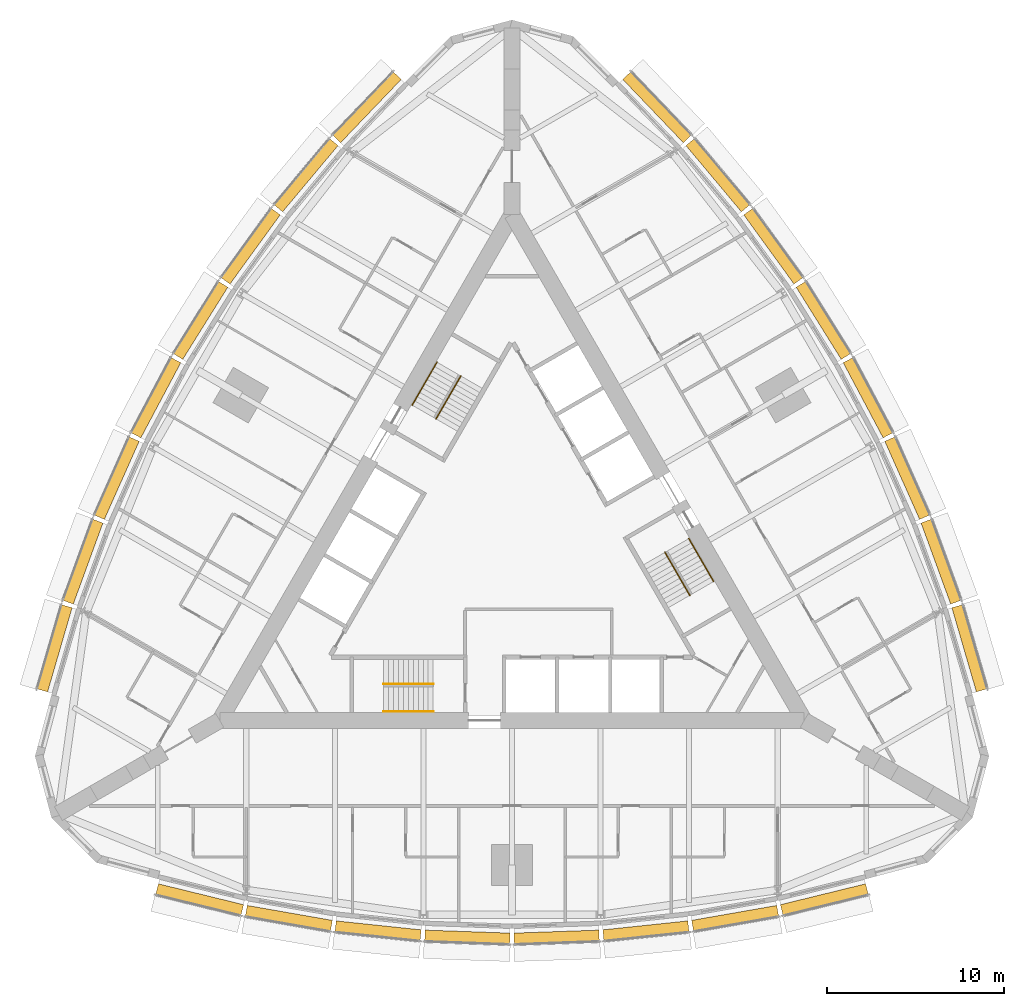
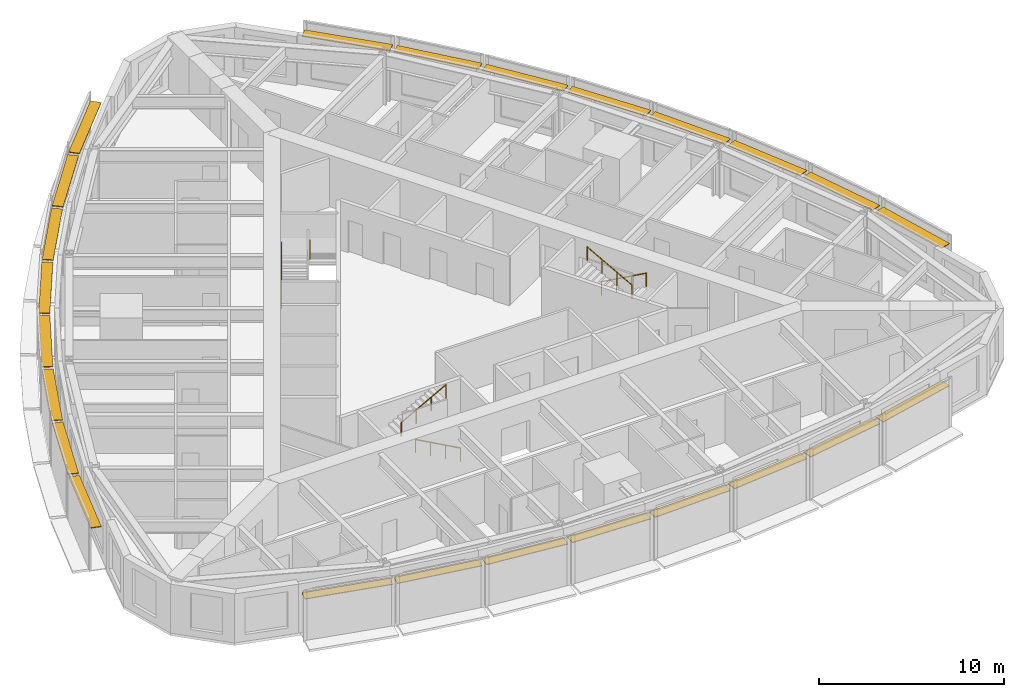
# One storey, part 14 of 14: 24 shading devices, 6 railings.
"""IFC4 building model written with IfcOpenShell, lengths in metres."""

from ifc_helpers import new_model, si_unit, direction, frame, origin, origin_2d, place, context, subcontext, project, spatial, rectangle, circle, extrude, material, type_object, element, save


model = new_model("IFC4")

# Units and contexts
model_context = context("Model", 3, precision=1e-05, world=origin(), true_north=direction((0.0, 1.0)))
body_context = subcontext(model_context, "Body", "Model", "MODEL_VIEW")
ifc_project = project(units=[si_unit("LENGTHUNIT", "METRE"), si_unit("AREAUNIT", "SQUARE_METRE"), si_unit("VOLUMEUNIT", "CUBIC_METRE"), si_unit("PLANEANGLEUNIT", "RADIAN"), si_unit("MASSUNIT", "GRAM", prefix="KILO")], contexts=[model_context])

# Site, building, storey
site_placement = place(None, origin())
site = spatial("IfcSite", under=ifc_project, at=site_placement, CompositionType="ELEMENT")
building_placement = place(site_placement, origin())
building = spatial("IfcBuilding", under=site, at=building_placement, Name="Trikona Tower", CompositionType="ELEMENT")
storey_placement = place(building_placement, frame((0.0, 0.0, 169.10009765625)))
storey = spatial("IfcBuildingStorey", under=building, at=storey_placement, Name="L45", CompositionType="ELEMENT", Elevation=169.10009765625)

# Shading devices
ifc_material_1 = material(Name="Aluminium louvre blade, pale anodised", Category="aluminium")
shading_device_type = type_object("IfcShadingDeviceType", Name="Cavity louvre 600", PredefinedType="USERDEFINED", material=ifc_material_1)
shading_device_1_placement = place(storey_placement, frame((-17.63330078125, -19.631591796875, 2.77490234375), z_axis=(0.0, 0.0, 1.0), x_axis=(0.971274411564, -0.237962218516, 0.0)))
element("IfcShadingDevice", 1, at=shading_device_1_placement, inside=storey, type_object=shading_device_type, Name="Cavity louvre L45-00", ObjectType="LOUVRE", PredefinedType="USERDEFINED", context=body_context, shape_type="SweptSolid", body=[
    extrude(rectangle(XDim=4.947998046875, YDim=0.60009765625, at=origin_2d()), origin(), (0.0, 0.0, 1.0), 0.050048828125),
])
shading_device_2_placement = place(storey_placement, frame((-12.596435546875, -20.689208984375, 2.77490234375), z_axis=(0.0, 0.0, 1.0), x_axis=(0.985030604067, -0.172379549401, 0.0)))
element("IfcShadingDevice", 2, at=shading_device_2_placement, inside=storey, type_object=shading_device_type, Name="Cavity louvre L45-01", ObjectType="LOUVRE", PredefinedType="USERDEFINED", context=body_context, shape_type="SweptSolid", body=[
    extrude(rectangle(XDim=4.8759765625, YDim=0.60009765625, at=origin_2d()), origin(), (0.0, 0.0, 1.0), 0.050048828125),
])
shading_device_3_placement = place(storey_placement, frame((-7.55859375, -21.39453125, 2.77490234375), z_axis=(0.0, 0.0, 1.0), x_axis=(0.994532653854, -0.104426052392, 0.0)))
element("IfcShadingDevice", 3, at=shading_device_3_placement, inside=storey, type_object=shading_device_type, Name="Cavity louvre L45-02", ObjectType="LOUVRE", PredefinedType="USERDEFINED", context=body_context, shape_type="SweptSolid", body=[
    extrude(rectangle(XDim=4.827392578125, YDim=0.60009765625, at=origin_2d()), origin(), (0.0, 0.0, 1.0), 0.050048828125),
])
for number, where, z_axis, x_axis, name in (
    (4, (-2.51953125, -21.747314453125, 2.77490234375), (0.0, 0.0, 1.0), (0.999388082937, -0.034977988567, 0.0), "Cavity louvre L45-03"),
    (5, (2.51953125, -21.747314453125, 2.77490234375), (0.0, 0.0, 1.0), (0.999388082937, 0.034977988567, 0.0), "Cavity louvre L45-04"),
):
    element("IfcShadingDevice", number, at=place(storey_placement, frame(where, z_axis=z_axis, x_axis=x_axis)), inside=storey, type_object=shading_device_type, Name=name, ObjectType="LOUVRE", PredefinedType="USERDEFINED", context=body_context, shape_type="SweptSolid", body=[
        extrude(rectangle(XDim=4.802978515625, YDim=0.60009765625, at=origin_2d()), origin(), (0.0, 0.0, 1.0), 0.050048828125),
    ])
shading_device_4_placement = place(storey_placement, frame((7.55859375, -21.39453125, 2.77490234375), z_axis=(0.0, 0.0, 1.0), x_axis=(0.994532653854, 0.104426052392, 0.0)))
element("IfcShadingDevice", 6, at=shading_device_4_placement, inside=storey, type_object=shading_device_type, Name="Cavity louvre L45-05", ObjectType="LOUVRE", PredefinedType="USERDEFINED", context=body_context, shape_type="SweptSolid", body=[
    extrude(rectangle(XDim=4.827392578125, YDim=0.60009765625, at=origin_2d()), origin(), (0.0, 0.0, 1.0), 0.050048828125),
])
shading_device_5_placement = place(storey_placement, frame((12.596435546875, -20.689208984375, 2.77490234375), z_axis=(0.0, 0.0, 1.0), x_axis=(0.985030604067, 0.172379549401, 0.0)))
element("IfcShadingDevice", 7, at=shading_device_5_placement, inside=storey, type_object=shading_device_type, Name="Cavity louvre L45-06", ObjectType="LOUVRE", PredefinedType="USERDEFINED", context=body_context, shape_type="SweptSolid", body=[
    extrude(rectangle(XDim=4.8759765625, YDim=0.60009765625, at=origin_2d()), origin(), (0.0, 0.0, 1.0), 0.050048828125),
])
shading_device_6_placement = place(storey_placement, frame((17.63330078125, -19.631591796875, 2.77490234375), z_axis=(0.0, 0.0, 1.0), x_axis=(0.971274411564, 0.237962218516, 0.0)))
element("IfcShadingDevice", 8, at=shading_device_6_placement, inside=storey, type_object=shading_device_type, Name="Cavity louvre L45-07", ObjectType="LOUVRE", PredefinedType="USERDEFINED", context=body_context, shape_type="SweptSolid", body=[
    extrude(rectangle(XDim=4.947998046875, YDim=0.60009765625, at=origin_2d()), origin(), (0.0, 0.0, 1.0), 0.050048828125),
])
shading_device_7_placement = place(storey_placement, frame((25.818115234375, -5.455078125, 2.77490234375), z_axis=(0.0, 0.0, 1.0), x_axis=(-0.279554203664, 0.960129911634, 0.0)))
element("IfcShadingDevice", 9, at=shading_device_7_placement, inside=storey, type_object=shading_device_type, Name="Cavity louvre L45-12", ObjectType="LOUVRE", PredefinedType="USERDEFINED", context=body_context, shape_type="SweptSolid", body=[
    extrude(rectangle(XDim=4.94775390625, YDim=0.60009765625, at=origin_2d()), origin(), (0.0, 0.0, 1.0), 0.050048828125),
])
shading_device_8_placement = place(storey_placement, frame((24.2158203125, -0.564208984375, 2.77490234375), z_axis=(0.0, 0.0, 1.0), x_axis=(-0.343220397324, 0.939254895575, 0.0)))
element("IfcShadingDevice", 10, at=shading_device_8_placement, inside=storey, type_object=shading_device_type, Name="Cavity louvre L45-13", ObjectType="LOUVRE", PredefinedType="USERDEFINED", context=body_context, shape_type="SweptSolid", body=[
    extrude(rectangle(XDim=4.8759765625, YDim=0.60009765625, at=origin_2d()), origin(), (0.0, 0.0, 1.0), 0.050048828125),
])
shading_device_9_placement = place(storey_placement, frame((22.3076171875, 4.151611328125, 2.77490234375), z_axis=(0.0, 0.0, 1.0), x_axis=(-0.406843467615, 0.913497888809, 0.0)))
element("IfcShadingDevice", 11, at=shading_device_9_placement, inside=storey, type_object=shading_device_type, Name="Cavity louvre L45-14", ObjectType="LOUVRE", PredefinedType="USERDEFINED", context=body_context, shape_type="SweptSolid", body=[
    extrude(rectangle(XDim=4.827392578125, YDim=0.60009765625, at=origin_2d()), origin(), (0.0, 0.0, 1.0), 0.050048828125),
])
for number, where, z_axis, x_axis, name in (
    (12, (20.093505859375, 8.691650390625, 2.77490234375), (0.0, 0.0, 1.0), (-0.469397591494, 0.882986920118, 0.0), "Cavity louvre L45-15"),
    (13, (17.573974609375, 13.0556640625, 2.77490234375), (0.0, 0.0, 1.0), (-0.529994748414, 0.848000923734, 0.0), "Cavity louvre L45-16"),
):
    element("IfcShadingDevice", number, at=place(storey_placement, frame(where, z_axis=z_axis, x_axis=x_axis)), inside=storey, type_object=shading_device_type, Name=name, ObjectType="LOUVRE", PredefinedType="USERDEFINED", context=body_context, shape_type="SweptSolid", body=[
        extrude(rectangle(XDim=4.802978515625, YDim=0.60009765625, at=origin_2d()), origin(), (0.0, 0.0, 1.0), 0.050048828125),
    ])
shading_device_10_placement = place(storey_placement, frame((14.7490234375, 17.2431640625, 2.77490234375), z_axis=(0.0, 0.0, 1.0), x_axis=(-0.587686407834, 0.809088799853, 0.0)))
element("IfcShadingDevice", 14, at=shading_device_10_placement, inside=storey, type_object=shading_device_type, Name="Cavity louvre L45-17", ObjectType="LOUVRE", PredefinedType="USERDEFINED", context=body_context, shape_type="SweptSolid", body=[
    extrude(rectangle(XDim=4.827392578125, YDim=0.60009765625, at=origin_2d()), origin(), (0.0, 0.0, 1.0), 0.050048828125),
])
shading_device_11_placement = place(storey_placement, frame((11.619140625, 21.253662109375, 2.77490234375), z_axis=(0.0, 0.0, 1.0), x_axis=(-0.641807063101, 0.766866151133, 0.0)))
element("IfcShadingDevice", 15, at=shading_device_11_placement, inside=storey, type_object=shading_device_type, Name="Cavity louvre L45-18", ObjectType="LOUVRE", PredefinedType="USERDEFINED", context=body_context, shape_type="SweptSolid", body=[
    extrude(rectangle(XDim=4.8759765625, YDim=0.60009765625, at=origin_2d()), origin(), (0.0, 0.0, 1.0), 0.050048828125),
])
for number, where, z_axis, x_axis, name in (
    (16, (8.184814453125, 25.086669921875, 2.77490234375), (0.0, 0.0, 1.0), (-0.691723573819, 0.722162376078, 0.0), "Cavity louvre L45-19"),
    (17, (-8.184814453125, 25.086669921875, 2.77490234375), (0.0, 0.0, 1.0), (-0.691723573819, -0.722162376078, 0.0), "Cavity louvre L45-24"),
):
    element("IfcShadingDevice", number, at=place(storey_placement, frame(where, z_axis=z_axis, x_axis=x_axis)), inside=storey, type_object=shading_device_type, Name=name, ObjectType="LOUVRE", PredefinedType="USERDEFINED", context=body_context, shape_type="SweptSolid", body=[
        extrude(rectangle(XDim=4.947998046875, YDim=0.60009765625, at=origin_2d()), origin(), (0.0, 0.0, 1.0), 0.050048828125),
    ])
shading_device_12_placement = place(storey_placement, frame((-11.619140625, 21.253662109375, 2.77490234375), z_axis=(0.0, 0.0, 1.0), x_axis=(-0.641807063101, -0.766866151133, 0.0)))
element("IfcShadingDevice", 18, at=shading_device_12_placement, inside=storey, type_object=shading_device_type, Name="Cavity louvre L45-25", ObjectType="LOUVRE", PredefinedType="USERDEFINED", context=body_context, shape_type="SweptSolid", body=[
    extrude(rectangle(XDim=4.8759765625, YDim=0.60009765625, at=origin_2d()), origin(), (0.0, 0.0, 1.0), 0.050048828125),
])
shading_device_13_placement = place(storey_placement, frame((-14.7490234375, 17.2431640625, 2.77490234375), z_axis=(0.0, 0.0, 1.0), x_axis=(-0.587686407834, -0.809088799853, 0.0)))
element("IfcShadingDevice", 19, at=shading_device_13_placement, inside=storey, type_object=shading_device_type, Name="Cavity louvre L45-26", ObjectType="LOUVRE", PredefinedType="USERDEFINED", context=body_context, shape_type="SweptSolid", body=[
    extrude(rectangle(XDim=4.827392578125, YDim=0.60009765625, at=origin_2d()), origin(), (0.0, 0.0, 1.0), 0.050048828125),
])
for number, where, z_axis, x_axis, name in (
    (20, (-17.573974609375, 13.0556640625, 2.77490234375), (0.0, 0.0, 1.0), (-0.529994748414, -0.848000923734, 0.0), "Cavity louvre L45-27"),
    (21, (-20.093505859375, 8.691650390625, 2.77490234375), (0.0, 0.0, 1.0), (-0.469397591494, -0.882986920118, 0.0), "Cavity louvre L45-28"),
):
    element("IfcShadingDevice", number, at=place(storey_placement, frame(where, z_axis=z_axis, x_axis=x_axis)), inside=storey, type_object=shading_device_type, Name=name, ObjectType="LOUVRE", PredefinedType="USERDEFINED", context=body_context, shape_type="SweptSolid", body=[
        extrude(rectangle(XDim=4.802978515625, YDim=0.60009765625, at=origin_2d()), origin(), (0.0, 0.0, 1.0), 0.050048828125),
    ])
shading_device_14_placement = place(storey_placement, frame((-22.3076171875, 4.151611328125, 2.77490234375), z_axis=(0.0, 0.0, 1.0), x_axis=(-0.406843467615, -0.913497888809, 0.0)))
element("IfcShadingDevice", 22, at=shading_device_14_placement, inside=storey, type_object=shading_device_type, Name="Cavity louvre L45-29", ObjectType="LOUVRE", PredefinedType="USERDEFINED", context=body_context, shape_type="SweptSolid", body=[
    extrude(rectangle(XDim=4.827392578125, YDim=0.60009765625, at=origin_2d()), origin(), (0.0, 0.0, 1.0), 0.050048828125),
])
shading_device_15_placement = place(storey_placement, frame((-24.2158203125, -0.564208984375, 2.77490234375), z_axis=(0.0, 0.0, 1.0), x_axis=(-0.343220397324, -0.939254895575, 0.0)))
element("IfcShadingDevice", 23, at=shading_device_15_placement, inside=storey, type_object=shading_device_type, Name="Cavity louvre L45-30", ObjectType="LOUVRE", PredefinedType="USERDEFINED", context=body_context, shape_type="SweptSolid", body=[
    extrude(rectangle(XDim=4.8759765625, YDim=0.60009765625, at=origin_2d()), origin(), (0.0, 0.0, 1.0), 0.050048828125),
])
shading_device_16_placement = place(storey_placement, frame((-25.818115234375, -5.455078125, 2.77490234375), z_axis=(0.0, 0.0, 1.0), x_axis=(-0.279554203664, -0.960129911634, 0.0)))
element("IfcShadingDevice", 24, at=shading_device_16_placement, inside=storey, type_object=shading_device_type, Name="Cavity louvre L45-31", ObjectType="LOUVRE", PredefinedType="USERDEFINED", context=body_context, shape_type="SweptSolid", body=[
    extrude(rectangle(XDim=4.94775390625, YDim=0.60009765625, at=origin_2d()), origin(), (0.0, 0.0, 1.0), 0.050048828125),
])

# Railings
ifc_material_2 = material(Name="Stainless steel handrail", Category="steel")
railing_type = type_object("IfcRailingType", Name="Stair handrail", PredefinedType="HANDRAIL", material=ifc_material_2)
railing_1_placement = place(storey_placement, frame((-4.449951171875, -9.016357421875, 0.154296875)))
element("IfcRailing", 25, at=railing_1_placement, inside=storey, type_object=railing_type, Name="Stair handrail A L45 1", PredefinedType="HANDRAIL", context=body_context, shape_type="SweptSolid", body=[
    extrude(circle(Radius=0.02392578125, at=origin_2d()), frame((0.0, 0.0, 0.8759765625), z_axis=(-0.875471895205, 0.0, 0.483269035534), x_axis=(0.0, -1.0, 0.0)), (0.0, 0.0, 1.0), 3.1982421875),
    extrude(circle(Radius=0.02099609375, at=origin_2d()), origin(), (0.0, 0.0, 1.0), 0.851806640625),
    extrude(circle(Radius=0.02099609375, at=origin_2d()), frame((-0.933349609375, 0.0, 0.51513671875)), (0.0, 0.0, 1.0), 0.851806640625),
    extrude(circle(Radius=0.02099609375, at=origin_2d()), frame((-1.86669921875, 0.0, 1.030517578125)), (0.0, 0.0, 1.0), 0.851806640625),
    extrude(circle(Radius=0.02099609375, at=origin_2d()), frame((-2.800048828125, 0.0, 1.545654296875)), (0.0, 0.0, 1.0), 0.851806640625),
])
railing_2_placement = place(storey_placement, frame((-7.25, -7.46630859375, 1.8544921875)))
element("IfcRailing", 26, at=railing_2_placement, inside=storey, type_object=railing_type, Name="Stair handrail A L45 2", PredefinedType="HANDRAIL", context=body_context, shape_type="SweptSolid", body=[
    extrude(circle(Radius=0.02392578125, at=origin_2d()), frame((0.0, 0.0, 0.8759765625), z_axis=(0.875504190374, 0.0, 0.483210526207), x_axis=(0.0, 1.0, 0.0)), (0.0, 0.0, 1.0), 3.1982421875),
    extrude(circle(Radius=0.02099609375, at=origin_2d()), origin(), (0.0, 0.0, 1.0), 0.851806640625),
    extrude(circle(Radius=0.02099609375, at=origin_2d()), frame((0.933349609375, 0.0, 0.51513671875)), (0.0, 0.0, 1.0), 0.851806640625),
    extrude(circle(Radius=0.02099609375, at=origin_2d()), frame((1.86669921875, 0.0, 1.0302734375)), (0.0, 0.0, 1.0), 0.851806640625),
    extrude(circle(Radius=0.02099609375, at=origin_2d()), frame((2.800048828125, 0.0, 1.54541015625)), (0.0, 0.0, 1.0), 0.851806640625),
])
railing_3_placement = place(storey_placement, frame((9.9833984375, 0.740966796875, 0.154296875)))
element("IfcRailing", 27, at=railing_3_placement, inside=storey, type_object=railing_type, Name="Stair handrail B L45 1", PredefinedType="HANDRAIL", context=body_context, shape_type="SweptSolid", body=[
    extrude(circle(Radius=0.02392578125, at=origin_2d()), frame((0.0, 0.0, 0.8759765625), z_axis=(0.437691042731, -0.758211567396, 0.483261596012), x_axis=(0.866056369097, 0.49994636267, 0.0)), (0.0, 0.0, 1.0), 3.198486328125),
    extrude(circle(Radius=0.02099609375, at=origin_2d()), origin(), (0.0, 0.0, 1.0), 0.851806640625),
    extrude(circle(Radius=0.02099609375, at=origin_2d()), frame((0.466552734375, -0.808349609375, 0.51513671875)), (0.0, 0.0, 1.0), 0.851806640625),
    extrude(circle(Radius=0.02099609375, at=origin_2d()), frame((0.933349609375, -1.61669921875, 1.030517578125)), (0.0, 0.0, 1.0), 0.851806640625),
    extrude(circle(Radius=0.02099609375, at=origin_2d()), frame((1.39990234375, -2.425048828125, 1.545654296875)), (0.0, 0.0, 1.0), 0.851806640625),
])
railing_4_placement = place(storey_placement, frame((10.041015625, -2.458984375, 1.8544921875)))
element("IfcRailing", 28, at=railing_4_placement, inside=storey, type_object=railing_type, Name="Stair handrail B L45 2", PredefinedType="HANDRAIL", context=body_context, shape_type="SweptSolid", body=[
    extrude(circle(Radius=0.02392578125, at=origin_2d()), frame((0.0, 0.0, 0.8759765625), z_axis=(-0.437707188162, 0.758239536103, 0.483203087036), x_axis=(-0.866056369097, -0.49994636267, 0.0)), (0.0, 0.0, 1.0), 3.1982421875),
    extrude(circle(Radius=0.02099609375, at=origin_2d()), origin(), (0.0, 0.0, 1.0), 0.851806640625),
    extrude(circle(Radius=0.02099609375, at=origin_2d()), frame((-0.466552734375, 0.808349609375, 0.51513671875)), (0.0, 0.0, 1.0), 0.851806640625),
    extrude(circle(Radius=0.02099609375, at=origin_2d()), frame((-0.933349609375, 1.61669921875, 1.0302734375)), (0.0, 0.0, 1.0), 0.851806640625),
    extrude(circle(Radius=0.02099609375, at=origin_2d()), frame((-1.39990234375, 2.425048828125, 1.54541015625)), (0.0, 0.0, 1.0), 0.851806640625),
])
railing_5_placement = place(storey_placement, frame((-5.63330078125, 8.275390625, 0.154296875)))
element("IfcRailing", 29, at=railing_5_placement, inside=storey, type_object=railing_type, Name="Stair handrail C L45 1", PredefinedType="HANDRAIL", context=body_context, shape_type="SweptSolid", body=[
    extrude(circle(Radius=0.02392578125, at=origin_2d()), frame((0.0, 0.0, 0.8759765625), z_axis=(0.437716375571, 0.758179114435, 0.4832895664), x_axis=(-0.866034573852, 0.49998411664, 0.0)), (0.0, 0.0, 1.0), 3.1982421875),
    extrude(circle(Radius=0.02099609375, at=origin_2d()), origin(), (0.0, 0.0, 1.0), 0.851806640625),
    extrude(circle(Radius=0.02099609375, at=origin_2d()), frame((0.466552734375, 0.808349609375, 0.51513671875)), (0.0, 0.0, 1.0), 0.851806640625),
    extrude(circle(Radius=0.02099609375, at=origin_2d()), frame((0.933349609375, 1.616455078125, 1.030517578125)), (0.0, 0.0, 1.0), 0.851806640625),
    extrude(circle(Radius=0.02099609375, at=origin_2d()), frame((1.39990234375, 2.4248046875, 1.545654296875)), (0.0, 0.0, 1.0), 0.851806640625),
])
railing_6_placement = place(storey_placement, frame((-2.89111328125, 9.92529296875, 1.8544921875)))
element("IfcRailing", 30, at=railing_6_placement, inside=storey, type_object=railing_type, Name="Stair handrail C L45 2", PredefinedType="HANDRAIL", context=body_context, shape_type="SweptSolid", body=[
    extrude(circle(Radius=0.02392578125, at=origin_2d()), frame((0.0, 0.0, 0.8759765625), z_axis=(-0.437707188162, -0.758239536103, 0.483203087036), x_axis=(0.866056369097, -0.49994636267, 0.0)), (0.0, 0.0, 1.0), 3.1982421875),
    extrude(circle(Radius=0.02099609375, at=origin_2d()), origin(), (0.0, 0.0, 1.0), 0.851806640625),
    extrude(circle(Radius=0.02099609375, at=origin_2d()), frame((-0.466552734375, -0.808349609375, 0.51513671875)), (0.0, 0.0, 1.0), 0.851806640625),
    extrude(circle(Radius=0.02099609375, at=origin_2d()), frame((-0.933349609375, -1.61669921875, 1.0302734375)), (0.0, 0.0, 1.0), 0.851806640625),
    extrude(circle(Radius=0.02099609375, at=origin_2d()), frame((-1.39990234375, -2.425048828125, 1.54541015625)), (0.0, 0.0, 1.0), 0.851806640625),
])

save(model, "model.ifc")
